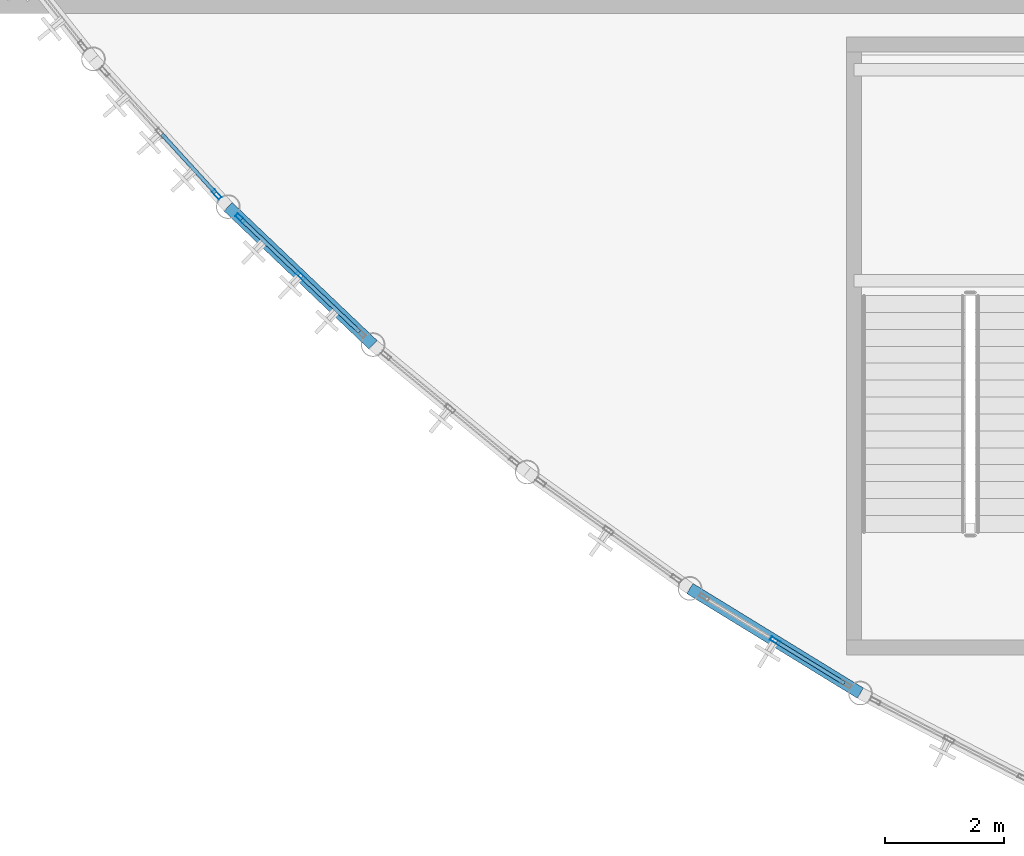
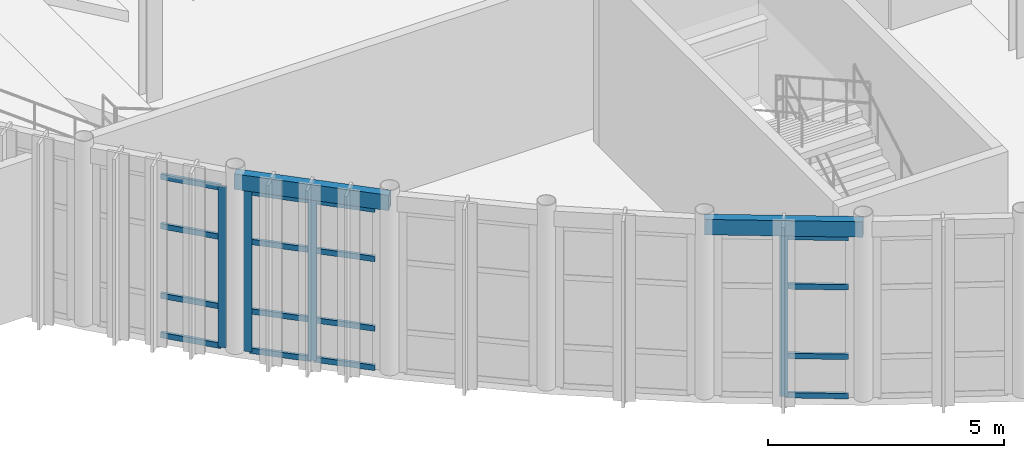
# One storey, part 17 of 105: 20 members, 2 beams, 3 elements without a shape of their own.
"""IFC4 building model written with IfcOpenShell, lengths in metres."""

from ifc_helpers import new_model, si_unit, direction, frame, origin, origin_2d, place, context, subcontext, project, spatial, hollow_rectangle, extrude, material, layer, layer_set, material_profile, profile_set, type_object, element, aggregate, save


model = new_model("IFC4")

# Units and contexts
model_context = context("Model", 3, precision=1e-05, world=origin(), true_north=direction((0.0, 1.0)))
body_context = subcontext(model_context, "Body", "Model", "MODEL_VIEW")
ifc_project = project(units=[si_unit("LENGTHUNIT", "METRE"), si_unit("AREAUNIT", "SQUARE_METRE"), si_unit("VOLUMEUNIT", "CUBIC_METRE"), si_unit("PLANEANGLEUNIT", "RADIAN"), si_unit("MASSUNIT", "GRAM", prefix="KILO")], contexts=[model_context])

# Site, building, storey
site_placement = place(None, origin())
site = spatial("IfcSite", under=ifc_project, at=site_placement, CompositionType="ELEMENT")
building_placement = place(site_placement, origin())
building = spatial("IfcBuilding", under=site, at=building_placement, Name="Selat Folded Stagehouse", CompositionType="ELEMENT")
storey_placement = place(building_placement, frame((0.0, 0.0, 10.199951171875)))
storey = spatial("IfcBuildingStorey", under=building, at=storey_placement, Name="L02", CompositionType="ELEMENT", Elevation=10.199951171875)

# Curtain wall, member
ifc_material_1 = material(Name="Aluminium 6063-T6", Category="aluminium")
ifc_layer = layer(ifc_material_1, 0.199951171875)
ifc_layer_set = layer_set([ifc_layer], Name="Aluminium 6063-T6")
curtain_wall_type = type_object("IfcCurtainWallType", Name="CW-DRM-MID", PredefinedType="NOTDEFINED", material=ifc_layer_set)
curtain_wall_1_placement = place(storey_placement, origin())
curtain_wall_1 = element("IfcCurtainWall", 1, at=curtain_wall_1_placement, inside=storey, type_object=curtain_wall_type, Name="L02 curtain wall CW-DRM-L02-12", PredefinedType="NOTDEFINED")
ifc_material_profile_1 = material_profile(ifc_material_1, hollow_rectangle(XDim=0.06494140625, YDim=0.179931640625, WallThickness=0.00390625, at=origin_2d()), Name="ALU 180x65x4.0")
ifc_profile_set_1 = profile_set([ifc_material_profile_1], Name="Aluminium 6063-T6")
member_type_1 = type_object("IfcMemberType", Name="CWM-MUL-180x65", PredefinedType="MULLION", material=ifc_profile_set_1)
member_1_placement = place(storey_placement, frame((13.507080078125, 14.633056640625, 0.0), z_axis=(0.0, 0.0, 1.0), x_axis=(-0.738729183213, -0.674002369336, 0.0)))
member_1 = element("IfcMember", 2, at=member_1_placement, type_object=member_type_1, Name="CW-02 mullion 1", PredefinedType="MULLION", context=body_context, shape_type="SweptSolid", body=[
    extrude(hollow_rectangle(XDim=0.06494140625, YDim=0.179931640625, WallThickness=0.00390625, at=origin_2d()), origin(), (0.0, 0.0, 1.0), 4.16015625),
])

# Curtain wall, members
curtain_wall_2_placement = place(storey_placement, origin())
curtain_wall_2 = element("IfcCurtainWall", 3, at=curtain_wall_2_placement, inside=storey, type_object=curtain_wall_type, Name="L02 curtain wall CW-DRM-L02-13", PredefinedType="NOTDEFINED")
member_2_placement = place(storey_placement, frame((14.917236328125, 13.262451171875, 0.0), z_axis=(0.0, 0.0, 1.0), x_axis=(-0.689661264636, -0.724132128869, 0.0)))
member_2 = element("IfcMember", 4, at=member_2_placement, type_object=member_type_1, Name="CW-02 mullion 2", PredefinedType="MULLION", context=body_context, shape_type="SweptSolid", body=[
    extrude(hollow_rectangle(XDim=0.06494140625, YDim=0.179931640625, WallThickness=0.00390625, at=origin_2d()), origin(), (0.0, 0.0, 1.0), 4.16015625),
])
member_3_placement = place(storey_placement, frame((13.90185546875, 14.2294921875, 0.0), z_axis=(0.0, 0.0, 1.0), x_axis=(-0.689661264636, -0.724132128869, 0.0)))
member_3 = element("IfcMember", 5, at=member_3_placement, type_object=member_type_1, Name="CW-02 mullion 3", PredefinedType="MULLION", context=body_context, shape_type="SweptSolid", body=[
    extrude(hollow_rectangle(XDim=0.06494140625, YDim=0.179931640625, WallThickness=0.00390625, at=origin_2d()), origin(), (0.0, 0.0, 1.0), 4.16015625),
])

# Curtain wall, member
curtain_wall_3_placement = place(storey_placement, origin())
curtain_wall_3 = element("IfcCurtainWall", 6, at=curtain_wall_3_placement, inside=storey, type_object=curtain_wall_type, Name="L02 curtain wall CW-DRM-L02-16", PredefinedType="NOTDEFINED")
member_4_placement = place(storey_placement, frame((22.91015625, 7.114013671875, 0.0), z_axis=(0.0, 0.0, 1.0), x_axis=(-0.523025427755, -0.852317078277, 0.0)))
member_4 = element("IfcMember", 7, at=member_4_placement, type_object=member_type_1, Name="CW-02 mullion 2", PredefinedType="MULLION", context=body_context, shape_type="SweptSolid", body=[
    extrude(hollow_rectangle(XDim=0.06494140625, YDim=0.179931640625, WallThickness=0.00390625, at=origin_2d()), origin(), (0.0, 0.0, 1.0), 4.16015625),
])

# Member
ifc_material_profile_2 = material_profile(ifc_material_1, hollow_rectangle(XDim=0.06494140625, YDim=0.139892578125, WallThickness=0.00390625, at=origin_2d()), Name="ALU 140x65x4.0")
ifc_profile_set_2 = profile_set([ifc_material_profile_2], Name="Aluminium 6063-T6")
member_type_2 = type_object("IfcMemberType", Name="CWM-TRN-140x65", PredefinedType="USERDEFINED", material=ifc_profile_set_2)
member_5_placement = place(storey_placement, frame((13.485107421875, 14.656982421875, 0.032470703125), z_axis=(-0.673953245799, 0.738773999594, 0.0), x_axis=(-0.738773999594, -0.673953245799, 0.0)))
member_5 = element("IfcMember", 8, at=member_5_placement, type_object=member_type_2, Name="CW-02 transom 1.1", ObjectType="TRANSOM", PredefinedType="USERDEFINED", context=body_context, shape_type="SweptSolid", body=[
    extrude(hollow_rectangle(XDim=0.06494140625, YDim=0.139892578125, WallThickness=0.00390625, at=origin_2d()), origin(), (0.0, 0.0, 1.0), 1.337158203125),
])

member_6_placement = place(storey_placement, frame((13.485107421875, 14.656982421875, 1.050048828125), z_axis=(-0.673953245799, 0.738773999594, 0.0), x_axis=(-0.738773999594, -0.673953245799, 0.0)))
member_6 = element("IfcMember", 9, at=member_6_placement, type_object=member_type_2, Name="CW-02 transom 1.2", ObjectType="TRANSOM", PredefinedType="USERDEFINED", context=body_context, shape_type="SweptSolid", body=[
    extrude(hollow_rectangle(XDim=0.06494140625, YDim=0.139892578125, WallThickness=0.00390625, at=origin_2d()), origin(), (0.0, 0.0, 1.0), 1.337158203125),
])

member_7_placement = place(storey_placement, frame((13.485107421875, 14.656982421875, 2.85009765625), z_axis=(-0.673953245799, 0.738773999594, 0.0), x_axis=(-0.738773999594, -0.673953245799, 0.0)))
member_7 = element("IfcMember", 10, at=member_7_placement, type_object=member_type_2, Name="CW-02 transom 1.3", ObjectType="TRANSOM", PredefinedType="USERDEFINED", context=body_context, shape_type="SweptSolid", body=[
    extrude(hollow_rectangle(XDim=0.06494140625, YDim=0.139892578125, WallThickness=0.00390625, at=origin_2d()), origin(), (0.0, 0.0, 1.0), 1.337158203125),
])

member_8_placement = place(storey_placement, frame((13.485107421875, 14.656982421875, 4.12744140625), z_axis=(-0.673953245799, 0.738773999594, 0.0), x_axis=(-0.738773999594, -0.673953245799, 0.0)))
member_8 = element("IfcMember", 11, at=member_8_placement, type_object=member_type_2, Name="CW-02 transom 1.4", ObjectType="TRANSOM", PredefinedType="USERDEFINED", context=body_context, shape_type="SweptSolid", body=[
    extrude(hollow_rectangle(XDim=0.06494140625, YDim=0.139892578125, WallThickness=0.00390625, at=origin_2d()), origin(), (0.0, 0.0, 1.0), 1.337158203125),
])

aggregate(curtain_wall_1, [member_1, member_5, member_6, member_7, member_8])

member_9_placement = place(storey_placement, frame((15.908935546875, 12.318115234375, 0.032470703125), z_axis=(-0.724150957523, 0.689641494343, 0.0), x_axis=(-0.689641494343, -0.724150957523, 0.0)))
member_9 = element("IfcMember", 12, at=member_9_placement, type_object=member_type_2, Name="CW-02 transom 1.1", ObjectType="TRANSOM", PredefinedType="USERDEFINED", context=body_context, shape_type="SweptSolid", body=[
    extrude(hollow_rectangle(XDim=0.06494140625, YDim=0.139892578125, WallThickness=0.00390625, at=origin_2d()), origin(), (0.0, 0.0, 1.0), 1.337158203125),
])

member_10_placement = place(storey_placement, frame((15.908935546875, 12.318115234375, 1.050048828125), z_axis=(-0.724150957523, 0.689641494343, 0.0), x_axis=(-0.689641494343, -0.724150957523, 0.0)))
member_10 = element("IfcMember", 13, at=member_10_placement, type_object=member_type_2, Name="CW-02 transom 1.2", ObjectType="TRANSOM", PredefinedType="USERDEFINED", context=body_context, shape_type="SweptSolid", body=[
    extrude(hollow_rectangle(XDim=0.06494140625, YDim=0.139892578125, WallThickness=0.00390625, at=origin_2d()), origin(), (0.0, 0.0, 1.0), 1.337158203125),
])

member_11_placement = place(storey_placement, frame((15.908935546875, 12.318115234375, 2.85009765625), z_axis=(-0.724150957523, 0.689641494343, 0.0), x_axis=(-0.689641494343, -0.724150957523, 0.0)))
member_11 = element("IfcMember", 14, at=member_11_placement, type_object=member_type_2, Name="CW-02 transom 1.3", ObjectType="TRANSOM", PredefinedType="USERDEFINED", context=body_context, shape_type="SweptSolid", body=[
    extrude(hollow_rectangle(XDim=0.06494140625, YDim=0.139892578125, WallThickness=0.00390625, at=origin_2d()), origin(), (0.0, 0.0, 1.0), 1.337158203125),
])

member_12_placement = place(storey_placement, frame((15.908935546875, 12.318115234375, 4.12744140625), z_axis=(-0.724150957523, 0.689641494343, 0.0), x_axis=(-0.689641494343, -0.724150957523, 0.0)))
member_12 = element("IfcMember", 15, at=member_12_placement, type_object=member_type_2, Name="CW-02 transom 1.4", ObjectType="TRANSOM", PredefinedType="USERDEFINED", context=body_context, shape_type="SweptSolid", body=[
    extrude(hollow_rectangle(XDim=0.06494140625, YDim=0.139892578125, WallThickness=0.00390625, at=origin_2d()), origin(), (0.0, 0.0, 1.0), 1.337158203125),
])

member_13_placement = place(storey_placement, frame((14.8935546875, 13.284912109375, 0.032470703125), z_axis=(-0.724064099626, 0.689732687084, 0.0), x_axis=(-0.689732687084, -0.724064099626, 0.0)))
member_13 = element("IfcMember", 16, at=member_13_placement, type_object=member_type_2, Name="CW-02 transom 2.1", ObjectType="TRANSOM", PredefinedType="USERDEFINED", context=body_context, shape_type="SweptSolid", body=[
    extrude(hollow_rectangle(XDim=0.06494140625, YDim=0.139892578125, WallThickness=0.00390625, at=origin_2d()), origin(), (0.0, 0.0, 1.0), 1.3369140625),
])

member_14_placement = place(storey_placement, frame((14.8935546875, 13.284912109375, 1.050048828125), z_axis=(-0.724064099626, 0.689732687084, 0.0), x_axis=(-0.689732687084, -0.724064099626, 0.0)))
member_14 = element("IfcMember", 17, at=member_14_placement, type_object=member_type_2, Name="CW-02 transom 2.2", ObjectType="TRANSOM", PredefinedType="USERDEFINED", context=body_context, shape_type="SweptSolid", body=[
    extrude(hollow_rectangle(XDim=0.06494140625, YDim=0.139892578125, WallThickness=0.00390625, at=origin_2d()), origin(), (0.0, 0.0, 1.0), 1.3369140625),
])

member_15_placement = place(storey_placement, frame((14.8935546875, 13.284912109375, 2.85009765625), z_axis=(-0.724064099626, 0.689732687084, 0.0), x_axis=(-0.689732687084, -0.724064099626, 0.0)))
member_15 = element("IfcMember", 18, at=member_15_placement, type_object=member_type_2, Name="CW-02 transom 2.3", ObjectType="TRANSOM", PredefinedType="USERDEFINED", context=body_context, shape_type="SweptSolid", body=[
    extrude(hollow_rectangle(XDim=0.06494140625, YDim=0.139892578125, WallThickness=0.00390625, at=origin_2d()), origin(), (0.0, 0.0, 1.0), 1.3369140625),
])

member_16_placement = place(storey_placement, frame((14.8935546875, 13.284912109375, 4.12744140625), z_axis=(-0.724064099626, 0.689732687084, 0.0), x_axis=(-0.689732687084, -0.724064099626, 0.0)))
member_16 = element("IfcMember", 19, at=member_16_placement, type_object=member_type_2, Name="CW-02 transom 2.4", ObjectType="TRANSOM", PredefinedType="USERDEFINED", context=body_context, shape_type="SweptSolid", body=[
    extrude(hollow_rectangle(XDim=0.06494140625, YDim=0.139892578125, WallThickness=0.00390625, at=origin_2d()), origin(), (0.0, 0.0, 1.0), 1.3369140625),
])

aggregate(curtain_wall_2, [member_2, member_3, member_9, member_10, member_11, member_12, member_13, member_14, member_15, member_16])

member_17_placement = place(storey_placement, frame((24.077392578125, 6.397705078125, 0.032470703125), z_axis=(-0.852278331158, 0.523088564432, 0.0), x_axis=(-0.523088564432, -0.852278331158, 0.0)))
member_17 = element("IfcMember", 20, at=member_17_placement, type_object=member_type_2, Name="CW-02 transom 1.1", ObjectType="TRANSOM", PredefinedType="USERDEFINED", context=body_context, shape_type="SweptSolid", body=[
    extrude(hollow_rectangle(XDim=0.06494140625, YDim=0.139892578125, WallThickness=0.00390625, at=origin_2d()), origin(), (0.0, 0.0, 1.0), 1.337158203125),
])

member_18_placement = place(storey_placement, frame((24.077392578125, 6.397705078125, 1.050048828125), z_axis=(-0.852278331158, 0.523088564432, 0.0), x_axis=(-0.523088564432, -0.852278331158, 0.0)))
member_18 = element("IfcMember", 21, at=member_18_placement, type_object=member_type_2, Name="CW-02 transom 1.2", ObjectType="TRANSOM", PredefinedType="USERDEFINED", context=body_context, shape_type="SweptSolid", body=[
    extrude(hollow_rectangle(XDim=0.06494140625, YDim=0.139892578125, WallThickness=0.00390625, at=origin_2d()), origin(), (0.0, 0.0, 1.0), 1.337158203125),
])

member_19_placement = place(storey_placement, frame((24.077392578125, 6.397705078125, 2.85009765625), z_axis=(-0.852278331158, 0.523088564432, 0.0), x_axis=(-0.523088564432, -0.852278331158, 0.0)))
member_19 = element("IfcMember", 22, at=member_19_placement, type_object=member_type_2, Name="CW-02 transom 1.3", ObjectType="TRANSOM", PredefinedType="USERDEFINED", context=body_context, shape_type="SweptSolid", body=[
    extrude(hollow_rectangle(XDim=0.06494140625, YDim=0.139892578125, WallThickness=0.00390625, at=origin_2d()), origin(), (0.0, 0.0, 1.0), 1.337158203125),
])

member_20_placement = place(storey_placement, frame((24.077392578125, 6.397705078125, 4.12744140625), z_axis=(-0.852278331158, 0.523088564432, 0.0), x_axis=(-0.523088564432, -0.852278331158, 0.0)))
member_20 = element("IfcMember", 23, at=member_20_placement, type_object=member_type_2, Name="CW-02 transom 1.4", ObjectType="TRANSOM", PredefinedType="USERDEFINED", context=body_context, shape_type="SweptSolid", body=[
    extrude(hollow_rectangle(XDim=0.06494140625, YDim=0.139892578125, WallThickness=0.00390625, at=origin_2d()), origin(), (0.0, 0.0, 1.0), 1.337158203125),
])

aggregate(curtain_wall_3, [member_4, member_17, member_18, member_19, member_20])

# Beams
ifc_material_2 = material(Name="Steel S355", Category="steel")
ifc_material_profile_3 = material_profile(ifc_material_2, hollow_rectangle(XDim=0.199951171875, YDim=0.39990234375, WallThickness=0.012451171875, at=origin_2d()), Name="RHS 400x200x12.5")
ifc_profile_set_3 = profile_set([ifc_material_profile_3], Name="Steel S355")
beam_type = type_object("IfcBeamType", Name="SPD-EXT-400x200", PredefinedType="SPANDREL", material=ifc_profile_set_3)
for number, where, z_axis, x_axis, name in (
    (24, (13.697509765625, 14.42431640625, 4.400146484375), (0.724108632634, -0.689685934426, 0.0), (0.689685934426, 0.724108632634, 0.0), "L02 curved drum spandrel beam 14"),
    (25, (21.474365234375, 7.9951171875, 4.400146484375), (0.852289688317, -0.523070059542, 0.0), (0.523070059542, 0.852289688317, 0.0), "L02 curved drum spandrel beam 17"),
):
    element("IfcBeam", number, at=place(storey_placement, frame(where, z_axis=z_axis, x_axis=x_axis)), inside=storey, type_object=beam_type, Name=name, PredefinedType="SPANDREL", context=body_context, shape_type="SweptSolid", body=[
        extrude(hollow_rectangle(XDim=0.199951171875, YDim=0.39990234375, WallThickness=0.012451171875, at=origin_2d()), origin(), (0.0, 0.0, 1.0), 3.368896484375),
    ])

save(model, "model.ifc")
